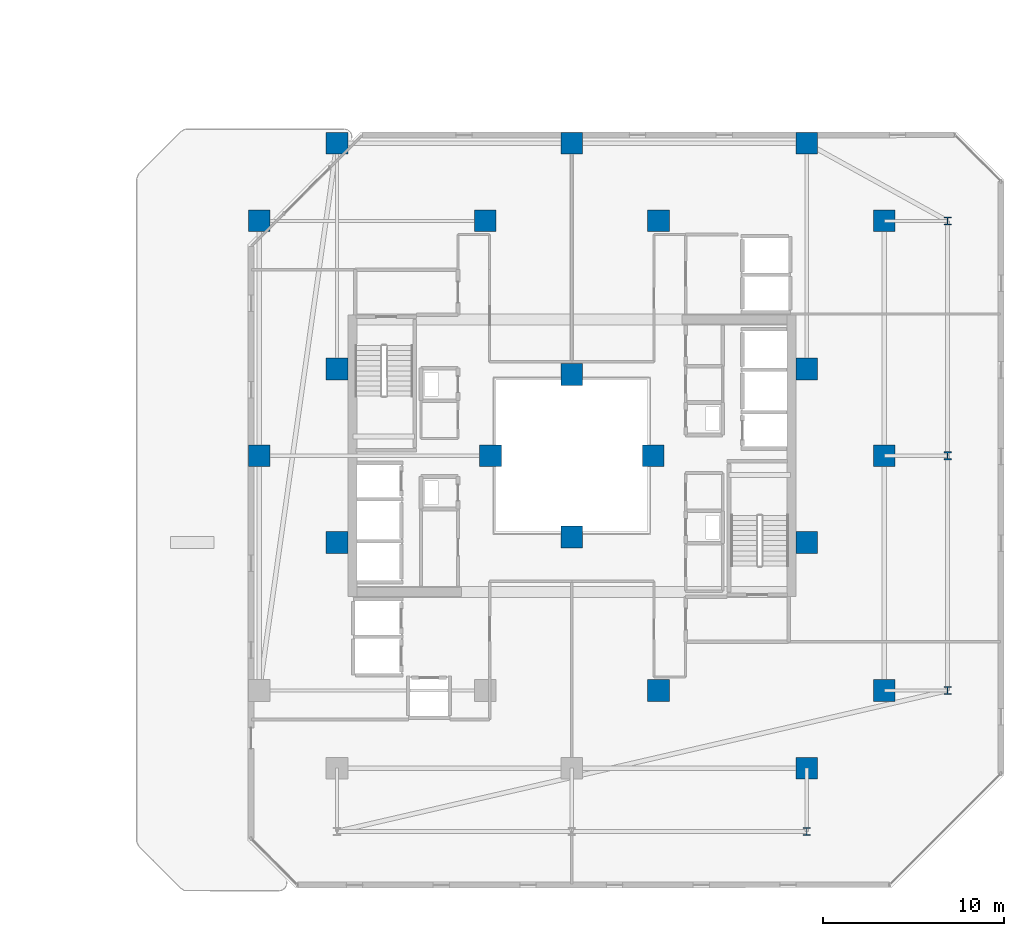
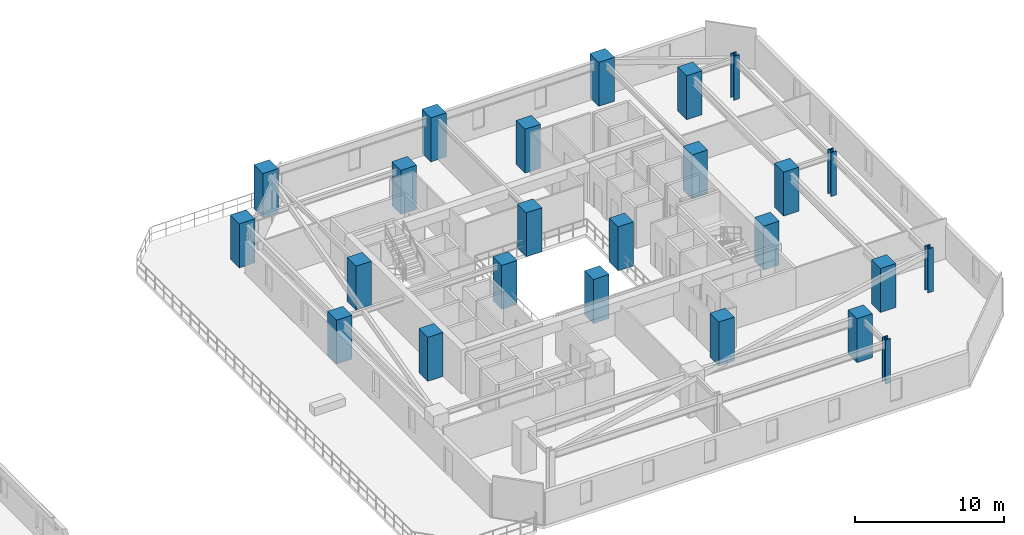
# One storey, part 2 of 31: 24 columns.
"""IFC4 building model written with IfcOpenShell, lengths in metres."""

from ifc_helpers import new_model, si_unit, direction, frame, origin, origin_2d, place, context, subcontext, project, spatial, rectangle, i_section, extrude, material, material_profile, profile_set, type_object, element, save


model = new_model("IFC4")

# Units and contexts
model_context = context("Model", 3, precision=1e-05, world=origin(), true_north=direction((0.0, 1.0)))
body_context = subcontext(model_context, "Body", "Model", "MODEL_VIEW")
ifc_project = project(units=[si_unit("LENGTHUNIT", "METRE"), si_unit("AREAUNIT", "SQUARE_METRE"), si_unit("VOLUMEUNIT", "CUBIC_METRE"), si_unit("PLANEANGLEUNIT", "RADIAN"), si_unit("MASSUNIT", "GRAM", prefix="KILO")], contexts=[model_context])

# Site, building, storey
site_placement = place(None, origin())
site = spatial("IfcSite", under=ifc_project, at=site_placement, CompositionType="ELEMENT")
building_placement = place(site_placement, origin())
building = spatial("IfcBuilding", under=site, at=building_placement, Name="Thornwick Lancets Civic Towers", CompositionType="ELEMENT")
storey_placement = place(building_placement, frame((0.0, 0.0, 119.699951171875)))
storey = spatial("IfcBuildingStorey", under=building, at=storey_placement, Name="L31", CompositionType="ELEMENT", Elevation=119.699951171875)

# Columns
ifc_material_1 = material(Name="Concrete C60/75", Category="concrete")
ifc_material_profile_1 = material_profile(ifc_material_1, rectangle(XDim=1.199951171875, YDim=1.199951171875, at=origin_2d()), Name="RC 1200x1200")
ifc_profile_set_1 = profile_set([ifc_material_profile_1], Name="Concrete C60/75")
column_type_1 = type_object("IfcColumnType", Name="COL_RC_1200", PredefinedType="COLUMN", material=ifc_profile_set_1)
for number, where, z_axis, x_axis, name in (
    (1, (105.800048828125, 14.0, 0.0), (0.0, 0.0, 1.0), (1.0, 0.0, 0.0), "L31 Spine Mega-Column B01"),
    (2, (105.800048828125, 27.0, 0.0), (0.0, 0.0, 1.0), (1.0, 0.0, 0.0), "L31 Spine Mega-Column B02"),
    (3, (105.800048828125, 40.0, 0.0), (0.0, 0.0, 1.0), (1.0, 0.0, 0.0), "L31 Spine Mega-Column B03"),
    (4, (101.5, 44.300048828125, 0.0), (0.0, 0.0, 1.0), (1.0, 0.0, 0.0), "L31 Spine Mega-Column B04"),
    (5, (88.5, 44.300048828125, 0.0), (0.0, 0.0, 1.0), (1.0, 0.0, 0.0), "L31 Spine Mega-Column B05"),
    (6, (75.5, 44.300048828125, 0.0), (0.0, 0.0, 1.0), (1.0, 0.0, 0.0), "L31 Spine Mega-Column B06"),
    (7, (71.199951171875, 27.0, 0.0), (0.0, 0.0, 1.0), (1.0, 0.0, 0.0), "L31 Spine Mega-Column B08"),
    (8, (71.199951171875, 40.0, 0.0), (0.0, 0.0, 1.0), (1.0, 0.0, 0.0), "L31 Spine Mega-Column B09"),
    (9, (101.5, 9.699951171875, 0.0), (0.0, 0.0, 1.0), (1.0, 0.0, 0.0), "L31 Spine Mega-Column B10"),
    (10, (93.300048828125, 14.0, 0.0), (0.0, 0.0, 1.0), (1.0, 0.0, 0.0), "L31 Spine Mega-Column B13"),
    (11, (93.300048828125, 40.0, 0.0), (0.0, 0.0, 1.0), (1.0, 0.0, 0.0), "L31 Spine Mega-Column B14"),
    (12, (83.699951171875, 40.0, 0.0), (0.0, 0.0, 1.0), (1.0, 0.0, 0.0), "L31 Spine Mega-Column B16"),
    (13, (101.5, 22.199951171875, 0.0), (0.0, 0.0, 1.0), (1.0, 0.0, 0.0), "L31 Spine Mega-Column B17"),
    (14, (101.5, 31.800048828125, 0.0), (0.0, 0.0, 1.0), (1.0, 0.0, 0.0), "L31 Spine Mega-Column B18"),
    (15, (75.5, 22.199951171875, 0.0), (0.0, 0.0, 1.0), (1.0, 0.0, 0.0), "L31 Spine Mega-Column B19"),
    (16, (75.5, 31.800048828125, 0.0), (0.0, 0.0, 1.0), (1.0, 0.0, 0.0), "L31 Spine Mega-Column B20"),
    (17, (93.0, 27.0, 0.0), (0.0, 0.0, 1.0), (1.0, 0.0, 0.0), "L31 Spine Mega-Column B21"),
    (18, (84.0, 27.0, 0.0), (0.0, 0.0, 1.0), (1.0, 0.0, 0.0), "L31 Spine Mega-Column B22"),
    (19, (88.5, 22.5, 0.0), (0.0, 0.0, 1.0), (1.0, 0.0, 0.0), "L31 Spine Mega-Column B23"),
    (20, (88.5, 31.5, 0.0), (0.0, 0.0, 1.0), (1.0, 0.0, 0.0), "L31 Spine Mega-Column B24"),
):
    element("IfcColumn", number, at=place(storey_placement, frame(where, z_axis=z_axis, x_axis=x_axis)), inside=storey, type_object=column_type_1, Name=name, PredefinedType="COLUMN", context=body_context, shape_type="SweptSolid", body=[
        extrude(rectangle(XDim=1.199951171875, YDim=1.199951171875, at=origin_2d()), origin(), (0.0, 0.0, 1.0), 3.60009765625),
    ])
ifc_material_2 = material(Name="Steel S460M", Category="steel")
ifc_material_profile_2 = material_profile(ifc_material_2, i_section(OverallWidth=0.41845703125, OverallDepth=0.45556640625, WebThickness=0.0419921875, FlangeThickness=0.0673828125, FilletRadius=0.01513671875, at=origin_2d()), Name="UKC 356x406x551")
ifc_profile_set_2 = profile_set([ifc_material_profile_2], Name="Steel S460M")
column_type_2 = type_object("IfcColumnType", Name="COL_UKC_551", PredefinedType="COLUMN", material=ifc_profile_set_2)
for number, where, z_axis, x_axis, name in (
    (21, (109.300048828125, 14.0, 0.0), (0.0, 0.0, 1.0), (1.0, 0.0, 0.0), "L31 Block Perimeter Column B01"),
    (22, (109.300048828125, 27.0, 0.0), (0.0, 0.0, 1.0), (1.0, 0.0, 0.0), "L31 Block Perimeter Column B02"),
    (23, (109.300048828125, 40.0, 0.0), (0.0, 0.0, 1.0), (1.0, 0.0, 0.0), "L31 Block Perimeter Column B03"),
    (24, (101.5, 6.199951171875, 0.0), (0.0, 0.0, 1.0), (1.0, 0.0, 0.0), "L31 Block Perimeter Column B10"),
):
    element("IfcColumn", number, at=place(storey_placement, frame(where, z_axis=z_axis, x_axis=x_axis)), inside=storey, type_object=column_type_2, Name=name, PredefinedType="COLUMN", context=body_context, shape_type="SweptSolid", body=[
        extrude(i_section(OverallWidth=0.41845703125, OverallDepth=0.45556640625, WebThickness=0.0419921875, FlangeThickness=0.0673828125, FilletRadius=0.01513671875, at=origin_2d()), origin(), (0.0, 0.0, 1.0), 3.60009765625),
    ])

save(model, "model.ifc")
